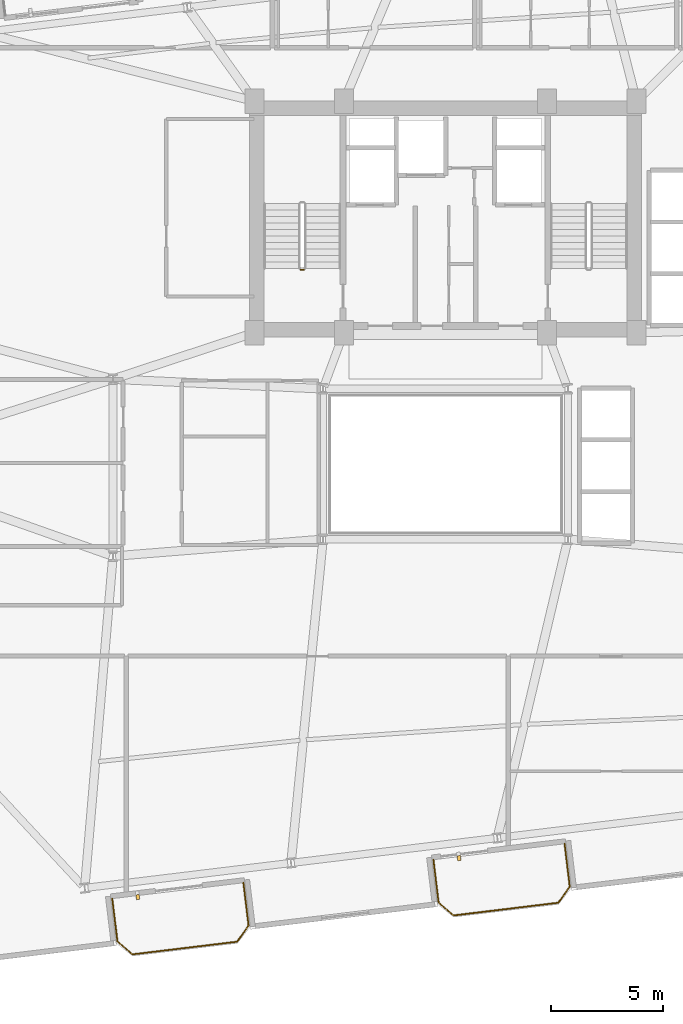
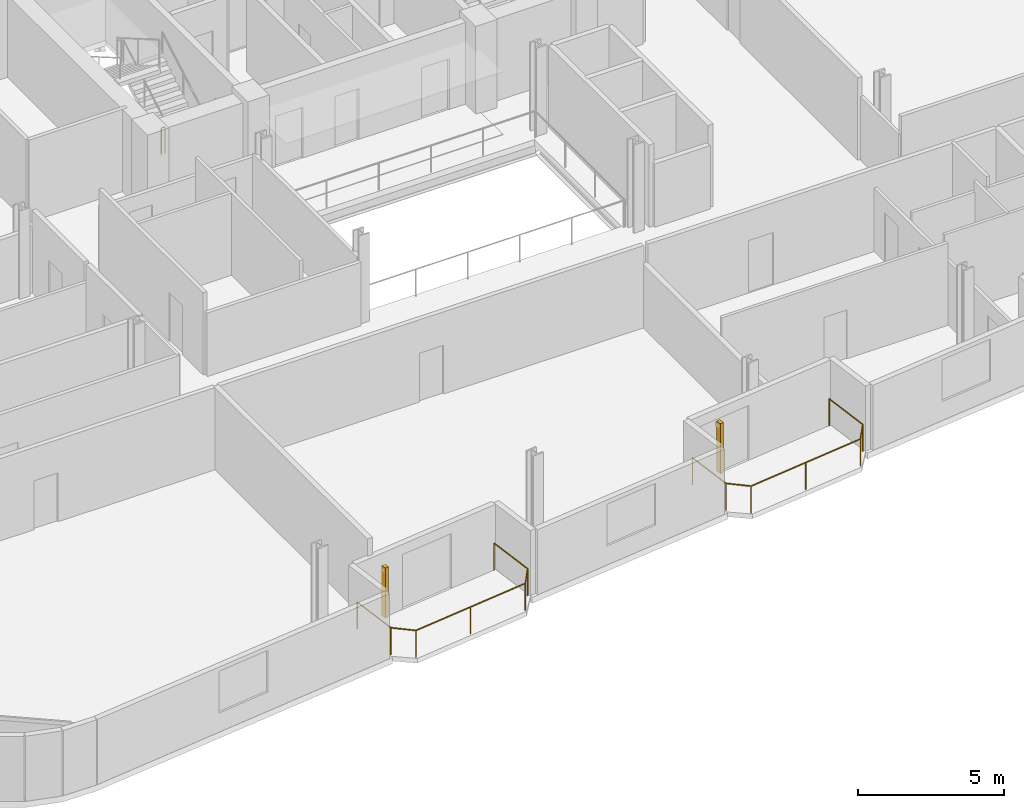
# One storey, part 20 of 23: 3 railings, 2 shading devices.
"""IFC4 building model written with IfcOpenShell, lengths in metres."""

from ifc_helpers import new_model, si_unit, direction, frame, origin, origin_2d, place, context, subcontext, project, spatial, rectangle, circle, extrude, source, transform, mapped, material, type_object, element, save


model = new_model("IFC4")

# Units and contexts
model_context = context("Model", 3, precision=1e-05, world=origin(), true_north=direction((0.0, 1.0)))
body_context = subcontext(model_context, "Body", "Model", "MODEL_VIEW")
ifc_project = project(units=[si_unit("LENGTHUNIT", "METRE"), si_unit("AREAUNIT", "SQUARE_METRE"), si_unit("VOLUMEUNIT", "CUBIC_METRE"), si_unit("PLANEANGLEUNIT", "RADIAN"), si_unit("MASSUNIT", "GRAM", prefix="KILO")], contexts=[model_context])

# Site, building, storey
site_placement = place(None, origin())
site = spatial("IfcSite", under=ifc_project, at=site_placement, CompositionType="ELEMENT")
building_placement = place(site_placement, origin())
building = spatial("IfcBuilding", under=site, at=building_placement, Name="Varnelok Gate Tower", CompositionType="ELEMENT")
storey_placement = place(building_placement, frame((0.0, 0.0, 182.0)))
storey = spatial("IfcBuildingStorey", under=building, at=storey_placement, Name="L46", CompositionType="ELEMENT", Elevation=182.0)

# Railings
ifc_material_1 = material(Name="Low-E Laminated Double Glazing IGU", Category="glass")
railing_type_1 = type_object("IfcRailingType", Name="RL-BALC-1150", PredefinedType="BALUSTRADE", material=ifc_material_1)
railing_1_placement = place(storey_placement, frame((24.368896484375, 3.55712890625, 0.0)))
element("IfcRailing", 1, at=railing_1_placement, inside=storey, type_object=railing_type_1, Name="L46 South Terrace Balustrade 1", PredefinedType="BALUSTRADE", context=body_context, shape_type="SweptSolid", body=[
    extrude(circle(Radius=0.02392578125, at=origin_2d()), frame((0.0, 0.0, 1.1259765625), z_axis=(0.120293392036, -0.992738384386, 0.0), x_axis=(0.992738384386, 0.120293392036, 0.0)), (0.0, 0.0, 1.0), 1.919921875),
    extrude(circle(Radius=0.02392578125, at=origin_2d()), frame((0.23095703125, -1.906005859375, 1.1259765625), z_axis=(0.756422670136, -0.654083132411, 0.0), x_axis=(0.654083132411, 0.756422670136, 0.0)), (0.0, 0.0, 1.0), 0.8779296875),
    extrude(circle(Radius=0.02392578125, at=origin_2d()), frame((0.89501953125, -2.480224609375, 1.1259765625), z_axis=(0.992736790351, 0.120306546306, 0.0), x_axis=(-0.120306546306, 0.992736790351, 0.0)), (0.0, 0.0, 1.0), 4.699951171875),
    extrude(circle(Radius=0.02392578125, at=origin_2d()), frame((5.560791015625, -1.914794921875, 1.1259765625), z_axis=(0.57815621837, 0.815926091726, 0.0), x_axis=(-0.815926091726, 0.57815621837, 0.0)), (0.0, 0.0, 1.0), 0.8779296875),
    extrude(circle(Radius=0.02392578125, at=origin_2d()), frame((6.068359375, -1.198486328125, 1.1259765625), z_axis=(-0.12040351024, 0.992725034802, 0.0), x_axis=(-0.992725034802, -0.12040351024, 0.0)), (0.0, 0.0, 1.0), 1.920166015625),
    extrude(circle(Radius=0.02099609375, at=origin_2d()), origin(), (0.0, 0.0, 1.0), 1.101806640625),
    extrude(circle(Radius=0.02099609375, at=origin_2d()), frame((0.23095703125, -1.906005859375, 0.0)), (0.0, 0.0, 1.0), 1.101806640625),
    extrude(circle(Radius=0.02099609375, at=origin_2d()), frame((0.89501953125, -2.480224609375, 0.0)), (0.0, 0.0, 1.0), 1.101806640625),
    extrude(circle(Radius=0.02099609375, at=origin_2d()), frame((3.22802734375, -2.197509765625, 0.0)), (0.0, 0.0, 1.0), 1.101806640625),
    extrude(circle(Radius=0.02099609375, at=origin_2d()), frame((5.560791015625, -1.914794921875, 0.0)), (0.0, 0.0, 1.0), 1.101806640625),
    extrude(circle(Radius=0.02099609375, at=origin_2d()), frame((6.068359375, -1.198486328125, 0.0)), (0.0, 0.0, 1.0), 1.101806640625),
    extrude(circle(Radius=0.02099609375, at=origin_2d()), frame((5.837158203125, 0.707763671875, 0.0)), (0.0, 0.0, 1.0), 1.101806640625),
])
railing_2_placement = place(storey_placement, frame((38.664306640625, 5.2900390625, 0.0)))
element("IfcRailing", 2, at=railing_2_placement, inside=storey, type_object=railing_type_1, Name="L46 South Terrace Balustrade 2", PredefinedType="BALUSTRADE", context=body_context, shape_type="SweptSolid", body=[
    extrude(circle(Radius=0.02392578125, at=origin_2d()), frame((0.0, 0.0, 1.1259765625), z_axis=(0.120293392036, -0.992738384386, 0.0), x_axis=(0.992738384386, 0.120293392036, 0.0)), (0.0, 0.0, 1.0), 1.919921875),
    extrude(circle(Radius=0.02392578125, at=origin_2d()), frame((0.23095703125, -1.906005859375, 1.1259765625), z_axis=(0.756303655992, -0.654220742513, 0.0), x_axis=(0.654220742513, 0.756303655992, 0.0)), (0.0, 0.0, 1.0), 0.877685546875),
    extrude(circle(Radius=0.02392578125, at=origin_2d()), frame((0.894775390625, -2.480224609375, 1.1259765625), z_axis=(0.99273133746, 0.120351533534, 0.0), x_axis=(-0.120351533534, 0.99273133746, 0.0)), (0.0, 0.0, 1.0), 4.7001953125),
    extrude(circle(Radius=0.02392578125, at=origin_2d()), frame((5.560791015625, -1.91455078125, 1.1259765625), z_axis=(0.577971037086, 0.816057277579, 0.0), x_axis=(-0.816057277579, 0.577971037086, 0.0)), (0.0, 0.0, 1.0), 0.877685546875),
    extrude(circle(Radius=0.02392578125, at=origin_2d()), frame((6.068115234375, -1.1982421875, 1.1259765625), z_axis=(-0.120293392036, 0.992738384386, 0.0), x_axis=(-0.992738384386, -0.120293392036, 0.0)), (0.0, 0.0, 1.0), 1.919921875),
    extrude(circle(Radius=0.02099609375, at=origin_2d()), origin(), (0.0, 0.0, 1.0), 1.101806640625),
    extrude(circle(Radius=0.02099609375, at=origin_2d()), frame((0.23095703125, -1.906005859375, 0.0)), (0.0, 0.0, 1.0), 1.101806640625),
    extrude(circle(Radius=0.02099609375, at=origin_2d()), frame((0.894775390625, -2.480224609375, 0.0)), (0.0, 0.0, 1.0), 1.101806640625),
    extrude(circle(Radius=0.02099609375, at=origin_2d()), frame((3.227783203125, -2.197265625, 0.0)), (0.0, 0.0, 1.0), 1.101806640625),
    extrude(circle(Radius=0.02099609375, at=origin_2d()), frame((5.560791015625, -1.91455078125, 0.0)), (0.0, 0.0, 1.0), 1.101806640625),
    extrude(circle(Radius=0.02099609375, at=origin_2d()), frame((6.068115234375, -1.1982421875, 0.0)), (0.0, 0.0, 1.0), 1.101806640625),
    extrude(circle(Radius=0.02099609375, at=origin_2d()), frame((5.837158203125, 0.707763671875, 0.0)), (0.0, 0.0, 1.0), 1.101806640625),
])
ifc_material_2 = material(Name="Galvanized Steel Grade S350GD", Category="steel")
railing_type_2 = type_object("IfcRailingType", Name="RL-STAIR-GUARD1120", PredefinedType="GUARDRAIL", material=ifc_material_2)
railing_3_placement = place(storey_placement, frame((32.89990234375, 31.550048828125, 0.0)))
element("IfcRailing", 3, at=railing_3_placement, inside=storey, type_object=railing_type_2, Name="L46 ST-1 stair guard 4", PredefinedType="GUARDRAIL", context=body_context, shape_type="SweptSolid", body=[
    extrude(circle(Radius=0.02392578125, at=origin_2d()), frame((0.0, 0.0, 1.09619140625), z_axis=(-1.0, 0.0, 0.0), x_axis=(0.0, -1.0, 0.0)), (0.0, 0.0, 1.0), 0.14990234375),
    extrude(circle(Radius=0.02099609375, at=origin_2d()), origin(), (0.0, 0.0, 1.0), 1.072021484375),
    extrude(circle(Radius=0.02099609375, at=origin_2d()), frame((-0.14990234375, 0.0, 0.0)), (0.0, 0.0, 1.0), 1.072021484375),
])

# Shading devices
ifc_material_3 = material(Name="Glazed Architectural Terracotta Ceramic", Category="masonry")
shading_device_type = type_object("IfcShadingDeviceType", Name="SHD-TERRA-BAGUETTE", PredefinedType="USERDEFINED", material=ifc_material_3)
shared_shape = source(origin(), body_context, "Body", "SweptSolid", [
    extrude(rectangle(XDim=0.139892578125, YDim=0.219970703125, at=origin_2d()), origin(), (0.0, 0.0, 1.0), 2.10009765625),
])
for number, where, z_axis, x_axis, name in (
    (4, (25.509033203125, 3.624755859375, 0.099853515625), (0.0, 0.0, 1.0), (0.992732158755, 0.12034475881, 0.0), "L46 Terracotta Ceramic Baguette Sunscreen 1.1"),
    (5, (39.80419921875, 5.35791015625, 0.099853515625), (0.0, 0.0, 1.0), (0.992732158755, 0.12034475881, 0.0), "L46 Terracotta Ceramic Baguette Sunscreen 2.1"),
):
    element("IfcShadingDevice", number, at=place(storey_placement, frame(where, z_axis=z_axis, x_axis=x_axis)), inside=storey, type_object=shading_device_type, Name=name, ObjectType="BAGUETTE", PredefinedType="USERDEFINED", context=body_context, shape_type="MappedRepresentation", body=[
        mapped(shared_shape, transform((0.0, 0.0, 0.0), scale=1.0)),
    ])

save(model, "model.ifc")
